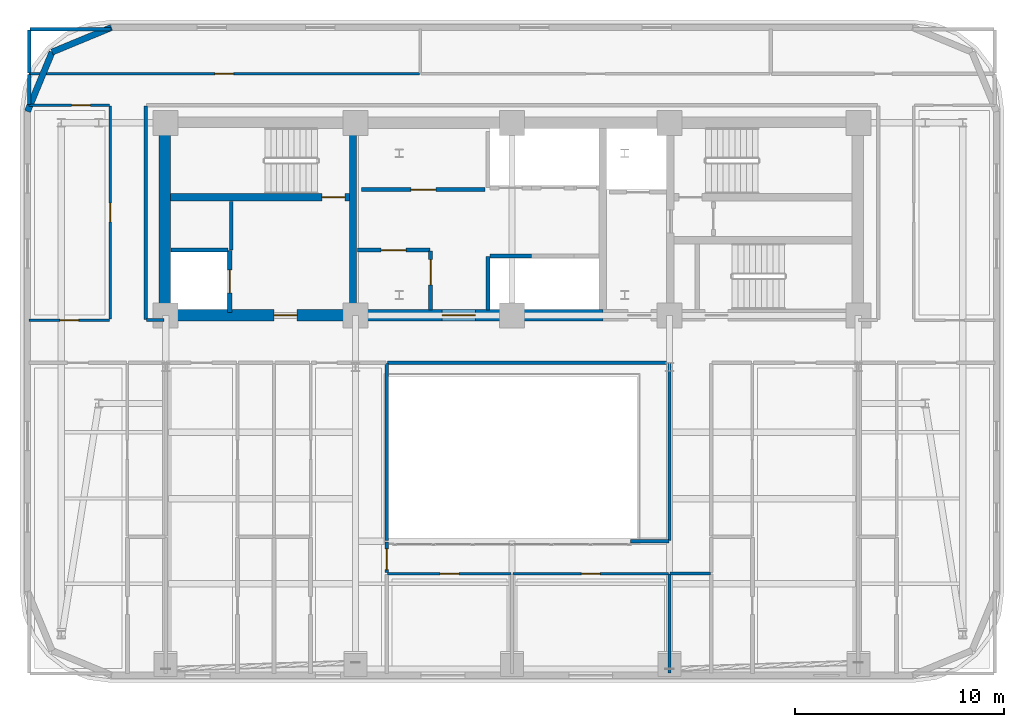
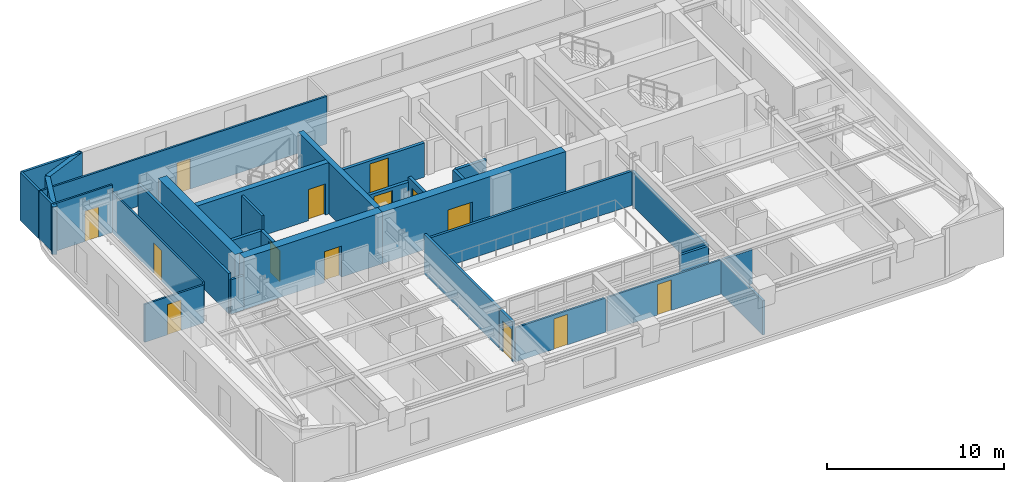
# One storey, part 6 of 12: 33 walls, 14 doors, 14 openings.
"""IFC4 building model written with IfcOpenShell, lengths in metres."""

from ifc_helpers import new_model, si_unit, direction, frame, frame_2d, origin, place, context, subcontext, project, spatial, rectangle, extrude, material, layer, layer_set, type_object, element, fill, save


model = new_model("IFC4")

# Units and contexts
model_context = context("Model", 3, precision=1e-05, world=origin(), true_north=direction((0.0, 1.0)))
body_context = subcontext(model_context, "Body", "Model", "MODEL_VIEW")
ifc_project = project(units=[si_unit("LENGTHUNIT", "METRE"), si_unit("AREAUNIT", "SQUARE_METRE"), si_unit("VOLUMEUNIT", "CUBIC_METRE"), si_unit("PLANEANGLEUNIT", "RADIAN"), si_unit("MASSUNIT", "GRAM", prefix="KILO")], contexts=[model_context])

# Site, building, storey
site_placement = place(None, origin())
site = spatial("IfcSite", under=ifc_project, at=site_placement, CompositionType="ELEMENT")
building_placement = place(site_placement, origin())
building = spatial("IfcBuilding", under=site, at=building_placement, Name="Zarnavel Station Tower", CompositionType="ELEMENT")
storey_placement = place(building_placement, frame((0.0, 0.0, 166.10009765625)))
storey = spatial("IfcBuildingStorey", under=building, at=storey_placement, Name="L45", CompositionType="ELEMENT", Elevation=166.10009765625)

# Wall
ifc_material_1 = material(Name="Concrete C50/60", Category="concrete")
ifc_layer_1 = layer(ifc_material_1, 0.35009765625)
ifc_layer_set_1 = layer_set([ifc_layer_1], Name="CW_350")
wall_type_1 = type_object("IfcWallType", Name="CW_350", PredefinedType="SHEAR", material=ifc_layer_set_1)
wall_1_placement = place(storey_placement, frame((21.179931640625, 28.094970703125, 0.0), z_axis=(0.0, 0.0, 1.0), x_axis=(0.0, 1.0, 0.0)))
element("IfcWall", 1, at=wall_1_placement, inside=storey, type_object=wall_type_1, Name="L45 Rear Core Shear Wall DIV-W", PredefinedType="SHEAR", context=body_context, shape_type="SweptSolid", body=[
    extrude(rectangle(XDim=8.679931640625, YDim=0.35009765625, at=frame_2d((4.33984375, 0.0))), origin(), (0.0, 0.0, 1.0), 3.5498046875),
])

# Wall, opening, door
wall_2_placement = place(storey_placement, frame((21.0048828125, 33.47998046875, 0.0), z_axis=(0.0, 0.0, 1.0), x_axis=(-1.0, 0.0, 0.0)))
wall_2 = element("IfcWall", 2, at=wall_2_placement, inside=storey, type_object=wall_type_1, Name="L45 Rear Core Shear Wall DIV-H1", PredefinedType="SHEAR", context=body_context, shape_type="SweptSolid", body=[
    extrude(rectangle(XDim=8.579833984375, YDim=0.35009765625, at=frame_2d((4.2900390625, 0.0))), origin(), (0.0, 0.0, 1.0), 3.5498046875),
])
opening_1_placement = place(wall_2_placement, frame((0.219970703125, 0.0, 0.0)))
opening_1 = element("IfcOpeningElement", 3, at=opening_1_placement, cuts=wall_2, Name="Opening FD01", PredefinedType="OPENING", context=body_context, shape_type="SweptSolid", body=[
    extrude(rectangle(XDim=1.10009765625, YDim=2.14990234375, at=frame_2d((0.550048828125, 1.074951171875))), frame((0.0, 0.18505859375, 0.0), z_axis=(0.0, -1.0, 0.0), x_axis=(1.0, 0.0, 0.0)), (0.0, 0.0, 1.0), 0.3701171875),
])
ifc_material_2 = material(Name="Painted Galvanised Steel and Hardwood Leaf", Category="steel")
door_type_1 = type_object("IfcDoorType", Name="ID_STAIR_1100", OperationType="NOTDEFINED", PredefinedType="DOOR", material=ifc_material_2)
door_1_placement = place(opening_1_placement, origin())
door_1 = element("IfcDoor", 4, at=door_1_placement, inside=storey, type_object=door_type_1, Name="L45 Stair ST1 Lobby Fire Door", OperationType="SINGLE_SWING_LEFT", OverallHeight=2.14990234375, OverallWidth=1.10009765625, PredefinedType="DOOR", context=body_context, shape_type="SweptSolid", body=[
    extrude(rectangle(XDim=1.10009765625, YDim=2.14990234375, at=frame_2d((0.550048828125, 1.074951171875))), frame((0.0, 0.02490234375, 0.0), z_axis=(0.0, -1.0, 0.0), x_axis=(1.0, 0.0, 0.0)), (0.0, 0.0, 1.0), 0.050048828125),
])
fill(opening_1, door_1)

ifc_material_3 = material(Name="Concrete C50/60", Category="concrete")
ifc_layer_2 = layer(ifc_material_3, 0.550048828125)
ifc_layer_set_2 = layer_set([ifc_layer_2], Name="CW_550")
wall_type_2 = type_object("IfcWallType", Name="CW_550", PredefinedType="SHEAR", material=ifc_layer_set_2)
wall_3_placement = place(storey_placement, frame((21.179931640625, 27.820068359375, 0.0), z_axis=(0.0, 0.0, 1.0), x_axis=(-1.0, 0.0, 0.0)))
wall_3 = element("IfcWall", 5, at=wall_3_placement, inside=storey, type_object=wall_type_2, Name="L45 Rear Core Shear Wall S-W", PredefinedType="SHEAR", context=body_context, shape_type="SweptSolid", body=[
    extrude(rectangle(XDim=9.030029296875, YDim=0.550048828125, at=frame_2d((4.51513671875, 0.0))), origin(), (0.0, 0.0, 1.0), 3.5498046875),
])
opening_2_placement = place(wall_3_placement, frame((2.679931640625, 0.0, 0.0)))
opening_2 = element("IfcOpeningElement", 6, at=opening_2_placement, cuts=wall_3, Name="Opening FD01", PredefinedType="OPENING", context=body_context, shape_type="SweptSolid", body=[
    extrude(rectangle(XDim=1.10009765625, YDim=2.14990234375, at=frame_2d((0.550048828125, 1.074951171875))), frame((0.0, 0.284912109375, 0.0), z_axis=(0.0, -1.0, 0.0), x_axis=(1.0, 0.0, 0.0)), (0.0, 0.0, 1.0), 0.570068359375),
])
door_2_placement = place(opening_2_placement, origin())
door_2 = element("IfcDoor", 7, at=door_2_placement, inside=storey, type_object=door_type_1, Name="L45 West Firefighting Lobby Door", OperationType="SINGLE_SWING_RIGHT", OverallHeight=2.14990234375, OverallWidth=1.10009765625, PredefinedType="DOOR", context=body_context, shape_type="SweptSolid", body=[
    extrude(rectangle(XDim=1.10009765625, YDim=2.14990234375, at=frame_2d((0.550048828125, 1.074951171875))), frame((0.0, 0.02490234375, 0.0), z_axis=(0.0, -1.0, 0.0), x_axis=(1.0, 0.0, 0.0)), (0.0, 0.0, 1.0), 0.050048828125),
])
fill(opening_2, door_2)

wall_4_placement = place(storey_placement, frame((33.14990234375, 27.820068359375, 0.0), z_axis=(0.0, 0.0, 1.0), x_axis=(-1.0, 0.0, 0.0)))
wall_4 = element("IfcWall", 8, at=wall_4_placement, inside=storey, type_object=wall_type_2, Name="L45 Rear Core Shear Wall S-M", PredefinedType="SHEAR", context=body_context, shape_type="SweptSolid", body=[
    extrude(rectangle(XDim=11.969970703125, YDim=0.550048828125, at=frame_2d((5.98486328125, 0.0))), origin(), (0.0, 0.0, 1.0), 3.5498046875),
])
opening_3_placement = place(wall_4_placement, frame((6.10009765625, 0.0, 0.0)))
opening_3 = element("IfcOpeningElement", 9, at=opening_3_placement, cuts=wall_4, Name="Opening ID03", PredefinedType="OPENING", context=body_context, shape_type="SweptSolid", body=[
    extrude(rectangle(XDim=1.60009765625, YDim=2.199951171875, at=frame_2d((0.800048828125, 1.10009765625))), frame((0.0, 0.284912109375, 0.0), z_axis=(0.0, -1.0, 0.0), x_axis=(1.0, 0.0, 0.0)), (0.0, 0.0, 1.0), 0.570068359375),
])
ifc_material_4 = material(Name="Painted Galvanised Steel and Hardwood Leaf", Category="steel")
door_type_2 = type_object("IfcDoorType", Name="ID_PUBLIC_1600", OperationType="DOUBLE_DOOR_SINGLE_SWING", PredefinedType="DOOR", material=ifc_material_4)
door_3_placement = place(opening_3_placement, origin())
door_3 = element("IfcDoor", 10, at=door_3_placement, inside=storey, type_object=door_type_2, Name="L45 Passenger Lift Lobby Double Door", OperationType="SINGLE_SWING_LEFT", OverallHeight=2.199951171875, OverallWidth=1.60009765625, PredefinedType="DOOR", context=body_context, shape_type="SweptSolid", body=[
    extrude(rectangle(XDim=1.60009765625, YDim=2.199951171875, at=frame_2d((0.800048828125, 1.10009765625))), frame((0.0, 0.02490234375, 0.0), z_axis=(0.0, -1.0, 0.0), x_axis=(1.0, 0.0, 0.0)), (0.0, 0.0, 1.0), 0.050048828125),
])
fill(opening_3, door_3)

# Walls
wall_5_placement = place(storey_placement, frame((12.14990234375, 28.094970703125, 0.0), z_axis=(0.0, 0.0, 1.0), x_axis=(0.0, 1.0, 0.0)))
element("IfcWall", 11, at=wall_5_placement, inside=storey, type_object=wall_type_2, Name="L45 Rear Core Shear Wall W", PredefinedType="SHEAR", context=body_context, shape_type="SweptSolid", body=[
    extrude(rectangle(XDim=8.679931640625, YDim=0.550048828125, at=frame_2d((4.33984375, 0.0))), origin(), (0.0, 0.0, 1.0), 3.5498046875),
])
ifc_material_5 = material(Name="Precast concrete C45/55 (Dark Basalt Finish)", Category="masonry")
ifc_layer_3 = layer(ifc_material_5, 0.300048828125)
ifc_layer_set_3 = layer_set([ifc_layer_3], Name="EW_BASALT_300")
wall_type_3 = type_object("IfcWallType", Name="EW_BASALT_300", PredefinedType="SOLIDWALL", material=ifc_layer_set_3)
wall_6_placement = place(storey_placement, frame((6.75732421875, 40.442626953125, 0.0), z_axis=(0.0, 0.0, 1.0), x_axis=(0.923882414032, 0.382676475685, 0.0)))
element("IfcWall", 12, at=wall_6_placement, inside=storey, type_object=wall_type_3, Name="L45 Exterior Basalt Masonry Frame Wall 07", PredefinedType="SOLIDWALL", context=body_context, shape_type="SweptSolid", body=[
    extrude(rectangle(XDim=3.076904296875, YDim=0.300048828125, at=frame_2d((1.53857421875, 0.0))), origin(), (0.0, 0.0, 1.0), 3.289794921875),
])
wall_7_placement = place(storey_placement, frame((5.580078125, 37.60009765625, 0.0), z_axis=(0.0, 0.0, 1.0), x_axis=(0.382636798336, 0.92389884758, 0.0)))
element("IfcWall", 13, at=wall_7_placement, inside=storey, type_object=wall_type_3, Name="L45 Exterior Basalt Masonry Frame Wall 08", PredefinedType="SOLIDWALL", context=body_context, shape_type="SweptSolid", body=[
    extrude(rectangle(XDim=3.07666015625, YDim=0.300048828125, at=frame_2d((1.538330078125, 0.0))), origin(), (0.0, 0.0, 1.0), 3.289794921875),
])

# Wall, opening, door
ifc_material_6 = material(Name="Gypsum Twin-Stud Acoustic Fire Partition", Category="concrete")
ifc_layer_4 = layer(ifc_material_6, 0.159912109375)
ifc_layer_set_4 = layer_set([ifc_layer_4], Name="PT_DEMISE_160")
wall_type_4 = type_object("IfcWallType", Name="PT_DEMISE_160", PredefinedType="PARTITIONING", material=ifc_layer_set_4)
wall_8_placement = place(storey_placement, frame((22.800048828125, 15.489990234375, 0.0), z_axis=(0.0, 0.0, 1.0), x_axis=(0.0, 1.0, 0.0)))
wall_8 = element("IfcWall", 14, at=wall_8_placement, inside=storey, type_object=wall_type_4, Name="L45 Partition COR-AS-HW3R", PredefinedType="PARTITIONING", context=body_context, shape_type="SweptSolid", body=[
    extrude(rectangle(XDim=1.469970703125, YDim=0.159912109375, at=frame_2d((0.73486328125, 0.0))), origin(), (0.0, 0.0, 1.0), 2.72998046875),
])
opening_4_placement = place(wall_8_placement, frame((0.14794921875, 0.0, 0.0)))
opening_4 = element("IfcOpeningElement", 15, at=opening_4_placement, cuts=wall_8, Name="Opening FD02", PredefinedType="OPENING", context=body_context, shape_type="SweptSolid", body=[
    extrude(rectangle(XDim=1.0, YDim=2.14990234375, at=frame_2d((0.5, 1.074951171875))), frame((0.0, 0.08984375, 0.0), z_axis=(0.0, -1.0, 0.0), x_axis=(1.0, 0.0, 0.0)), (0.0, 0.0, 1.0), 0.179931640625),
])
ifc_material_7 = material(Name="Painted Galvanised Steel and Hardwood Leaf", Category="steel")
door_type_3 = type_object("IfcDoorType", Name="ID_ENTRY_1000", OperationType="NOTDEFINED", PredefinedType="DOOR", material=ifc_material_7)
door_4_placement = place(opening_4_placement, origin())
door_4 = element("IfcDoor", 16, at=door_4_placement, inside=storey, type_object=door_type_3, Name="L45 Door COR-AS-HW3R", OperationType="SINGLE_SWING_LEFT", OverallHeight=2.14990234375, OverallWidth=1.0, PredefinedType="DOOR", context=body_context, shape_type="SweptSolid", body=[
    extrude(rectangle(XDim=1.0, YDim=2.14990234375, at=frame_2d((0.5, 1.074951171875))), frame((0.0, 0.02490234375, 0.0), z_axis=(0.0, -1.0, 0.0), x_axis=(1.0, 0.0, 0.0)), (0.0, 0.0, 1.0), 0.050048828125),
])
fill(opening_4, door_4)

# Walls
wall_9_placement = place(storey_placement, frame((15.35009765625, 30.9599609375, 0.0), z_axis=(0.0, 0.0, 1.0), x_axis=(0.0, 1.0, 0.0)))
element("IfcWall", 17, at=wall_9_placement, inside=storey, type_object=wall_type_4, Name="L45 Enclosure Wall FFL1", PredefinedType="PARTITIONING", context=body_context, shape_type="SweptSolid", body=[
    extrude(rectangle(XDim=2.31005859375, YDim=0.159912109375, at=frame_2d((1.155029296875, 0.0))), origin(), (0.0, 0.0, 1.0), 3.289794921875),
])
wall_10_placement = place(storey_placement, frame((22.830078125, 25.550048828125, 0.0), z_axis=(0.0, 0.0, 1.0), x_axis=(1.0, 0.0, 0.0)))
element("IfcWall", 18, at=wall_10_placement, inside=storey, type_object=wall_type_4, Name="L45 Enclosure Wall COR-S", PredefinedType="PARTITIONING", context=body_context, shape_type="SweptSolid", body=[
    extrude(rectangle(XDim=13.489990234375, YDim=0.159912109375, at=frame_2d((6.7451171875, 0.0))), origin(), (0.0, 0.0, 1.0), 2.35986328125),
])
wall_11_placement = place(storey_placement, frame((11.280029296875, 27.60009765625, 0.0), z_axis=(0.0, 0.0, 1.0), x_axis=(1.0, 0.0, 0.0)))
element("IfcWall", 19, at=wall_11_placement, inside=storey, type_object=wall_type_4, Name="L45 Enclosure Wall COR-S", PredefinedType="PARTITIONING", context=body_context, shape_type="SweptSolid", body=[
    extrude(rectangle(XDim=0.840087890625, YDim=0.159912109375, at=frame_2d((0.419921875, 0.0))), origin(), (0.0, 0.0, 1.0), 2.35986328125),
])
wall_12_placement = place(storey_placement, frame((11.25, 27.6298828125, 0.0), z_axis=(0.0, 0.0, 1.0), x_axis=(0.0, 1.0, 0.0)))
element("IfcWall", 20, at=wall_12_placement, inside=storey, type_object=wall_type_4, Name="L45 Enclosure Wall COR-W", PredefinedType="PARTITIONING", context=body_context, shape_type="SweptSolid", body=[
    extrude(rectangle(XDim=10.240234375, YDim=0.159912109375, at=frame_2d((5.1201171875, 0.0))), origin(), (0.0, 0.0, 1.0), 2.77001953125),
])
wall_13_placement = place(storey_placement, frame((5.659912109375, 37.929931640625, 0.0), z_axis=(0.0, 0.0, 1.0), x_axis=(0.0, 1.0, 0.0)))
element("IfcWall", 21, at=wall_13_placement, inside=storey, type_object=wall_type_4, Name="L45 Enclosure Wall COR-N", PredefinedType="PARTITIONING", context=body_context, shape_type="SweptSolid", body=[
    extrude(rectangle(XDim=1.440185546875, YDim=0.159912109375, at=frame_2d((0.72021484375, 0.0))), origin(), (0.0, 0.0, 1.0), 3.289794921875),
])
wall_14_placement = place(storey_placement, frame((36.3798828125, 15.449951171875, 0.0), z_axis=(0.0, 0.0, 1.0), x_axis=(1.0, 0.0, 0.0)))
element("IfcWall", 22, at=wall_14_placement, inside=storey, type_object=wall_type_4, Name="L45 Enclosure Wall COR-AE", PredefinedType="PARTITIONING", context=body_context, shape_type="SweptSolid", body=[
    extrude(rectangle(XDim=1.940185546875, YDim=0.159912109375, at=frame_2d((0.97021484375, 0.0))), origin(), (0.0, 0.0, 1.0), 2.35986328125),
])
wall_15_placement = place(storey_placement, frame((36.35009765625, 17.030029296875, 0.0), z_axis=(0.0, 0.0, 1.0), x_axis=(0.0, 1.0, 0.0)))
element("IfcWall", 23, at=wall_15_placement, inside=storey, type_object=wall_type_4, Name="L45 Enclosure Wall COR-AE", PredefinedType="PARTITIONING", context=body_context, shape_type="SweptSolid", body=[
    extrude(rectangle(XDim=8.489990234375, YDim=0.159912109375, at=frame_2d((4.2451171875, 0.0))), origin(), (0.0, 0.0, 1.0), 2.35986328125),
])
wall_16_placement = place(storey_placement, frame((34.47998046875, 17.0, 0.0), z_axis=(0.0, 0.0, 1.0), x_axis=(1.0, 0.0, 0.0)))
element("IfcWall", 24, at=wall_16_placement, inside=storey, type_object=wall_type_4, Name="L45 Enclosure Wall COR-AS", PredefinedType="PARTITIONING", context=body_context, shape_type="SweptSolid", body=[
    extrude(rectangle(XDim=1.840087890625, YDim=0.159912109375, at=frame_2d((0.919921875, 0.0))), origin(), (0.0, 0.0, 1.0), 2.35986328125),
])
wall_17_placement = place(storey_placement, frame((5.68994140625, 41.5400390625, 0.0), z_axis=(0.0, 0.0, 1.0), x_axis=(1.0, 0.0, 0.0)))
element("IfcWall", 25, at=wall_17_placement, inside=storey, type_object=wall_type_4, Name="L45 Enclosure Wall NLIB", PredefinedType="PARTITIONING", context=body_context, shape_type="SweptSolid", body=[
    extrude(rectangle(XDim=3.880126953125, YDim=0.159912109375, at=frame_2d((1.93994140625, 0.0))), origin(), (0.0, 0.0, 1.0), 3.289794921875),
])
wall_18_placement = place(storey_placement, frame((5.659912109375, 39.429931640625, 0.0), z_axis=(0.0, 0.0, 1.0), x_axis=(0.0, 1.0, 0.0)))
element("IfcWall", 26, at=wall_18_placement, inside=storey, type_object=wall_type_4, Name="L45 Enclosure Wall NLIB", PredefinedType="PARTITIONING", context=body_context, shape_type="SweptSolid", body=[
    extrude(rectangle(XDim=2.080078125, YDim=0.159912109375, at=frame_2d((1.0400390625, 0.0))), origin(), (0.0, 0.0, 1.0), 3.289794921875),
])
wall_19_placement = place(storey_placement, frame((22.800048828125, 17.030029296875, 0.0), z_axis=(0.0, 0.0, 1.0), x_axis=(0.0, 1.0, 0.0)))
element("IfcWall", 27, at=wall_19_placement, inside=storey, type_object=wall_type_4, Name="L45 Enclosure Wall HW3R", PredefinedType="PARTITIONING", context=body_context, shape_type="SweptSolid", body=[
    extrude(rectangle(XDim=8.489990234375, YDim=0.159912109375, at=frame_2d((4.2451171875, 0.0))), origin(), (0.0, 0.0, 1.0), 2.72998046875),
])
wall_20_placement = place(storey_placement, frame((36.35009765625, 10.68994140625, 0.0), z_axis=(0.0, 0.0, 1.0), x_axis=(0.0, 1.0, 0.0)))
element("IfcWall", 28, at=wall_20_placement, inside=storey, type_object=wall_type_4, Name="L45 Enclosure Wall L45STD", PredefinedType="PARTITIONING", context=body_context, shape_type="SweptSolid", body=[
    extrude(rectangle(XDim=4.72998046875, YDim=0.159912109375, at=frame_2d((2.364990234375, 0.0))), origin(), (0.0, 0.0, 1.0), 2.35986328125),
])

# Wall, opening, door
ifc_material_8 = material(Name="Gypsum Metal-Stud Interior Partition", Category="concrete")
ifc_layer_5 = layer(ifc_material_8, 0.1201171875)
ifc_layer_set_5 = layer_set([ifc_layer_5], Name="PT_ROOM_120")
wall_type_5 = type_object("IfcWallType", Name="PT_ROOM_120", PredefinedType="PARTITIONING", material=ifc_layer_set_5)
wall_21_placement = place(storey_placement, frame((5.659912109375, 27.60009765625, 0.0), z_axis=(0.0, 0.0, 1.0), x_axis=(1.0, 0.0, 0.0)))
wall_21 = element("IfcWall", 29, at=wall_21_placement, inside=storey, type_object=wall_type_5, Name="L45 Partition COR-S-FNW", PredefinedType="PARTITIONING", context=body_context, shape_type="SweptSolid", body=[
    extrude(rectangle(XDim=3.85009765625, YDim=0.1201171875, at=frame_2d((1.925048828125, 0.0))), origin(), (0.0, 0.0, 1.0), 2.619873046875),
])
opening_5_placement = place(wall_21_placement, frame((1.47509765625, 0.0, 0.0)))
opening_5 = element("IfcOpeningElement", 30, at=opening_5_placement, cuts=wall_21, Name="Opening ID01", PredefinedType="OPENING", context=body_context, shape_type="SweptSolid", body=[
    extrude(rectangle(XDim=0.89990234375, YDim=2.10009765625, at=frame_2d((0.449951171875, 1.050048828125))), frame((0.0, 0.070068359375, 0.0), z_axis=(0.0, -1.0, 0.0), x_axis=(1.0, 0.0, 0.0)), (0.0, 0.0, 1.0), 0.14013671875),
])
ifc_material_9 = material(Name="Painted Galvanised Steel and Hardwood Leaf", Category="steel")
door_type_4 = type_object("IfcDoorType", Name="ID_ROOM_900", OperationType="NOTDEFINED", PredefinedType="DOOR", material=ifc_material_9)
door_5_placement = place(opening_5_placement, origin())
door_5 = element("IfcDoor", 31, at=door_5_placement, inside=storey, type_object=door_type_4, Name="L45 Door COR-S-FNW", OperationType="SINGLE_SWING_LEFT", OverallHeight=2.10009765625, OverallWidth=0.89990234375, PredefinedType="DOOR", context=body_context, shape_type="SweptSolid", body=[
    extrude(rectangle(XDim=0.89990234375, YDim=2.10009765625, at=frame_2d((0.449951171875, 1.050048828125))), frame((0.0, 0.02490234375, 0.0), z_axis=(0.0, -1.0, 0.0), x_axis=(1.0, 0.0, 0.0)), (0.0, 0.0, 1.0), 0.050048828125),
])
fill(opening_5, door_5)

wall_22_placement = place(storey_placement, frame((9.550048828125, 27.639892578125, 0.0), z_axis=(0.0, 0.0, 1.0), x_axis=(0.0, 1.0, 0.0)))
wall_22 = element("IfcWall", 32, at=wall_22_placement, inside=storey, type_object=wall_type_5, Name="L45 Partition COR-W-FNW", PredefinedType="PARTITIONING", context=body_context, shape_type="SweptSolid", body=[
    extrude(rectangle(XDim=10.22021484375, YDim=0.1201171875, at=frame_2d((5.110107421875, 0.0))), origin(), (0.0, 0.0, 1.0), 2.77001953125),
])
opening_6_placement = place(wall_22_placement, frame((4.659912109375, 0.0, 0.0)))
opening_6 = element("IfcOpeningElement", 33, at=opening_6_placement, cuts=wall_22, Name="Opening ID01", PredefinedType="OPENING", context=body_context, shape_type="SweptSolid", body=[
    extrude(rectangle(XDim=0.89990234375, YDim=2.10009765625, at=frame_2d((0.449951171875, 1.050048828125))), frame((0.0, 0.070068359375, 0.0), z_axis=(0.0, -1.0, 0.0), x_axis=(1.0, 0.0, 0.0)), (0.0, 0.0, 1.0), 0.14013671875),
])
door_6_placement = place(opening_6_placement, origin())
door_6 = element("IfcDoor", 34, at=door_6_placement, inside=storey, type_object=door_type_4, Name="L45 Door COR-W-FNW", OperationType="SINGLE_SWING_RIGHT", OverallHeight=2.10009765625, OverallWidth=0.89990234375, PredefinedType="DOOR", context=body_context, shape_type="SweptSolid", body=[
    extrude(rectangle(XDim=0.89990234375, YDim=2.10009765625, at=frame_2d((0.449951171875, 1.050048828125))), frame((0.0, 0.02490234375, 0.0), z_axis=(0.0, -1.0, 0.0), x_axis=(1.0, 0.0, 0.0)), (0.0, 0.0, 1.0), 0.050048828125),
])
fill(opening_6, door_6)

wall_23_placement = place(storey_placement, frame((5.659912109375, 37.89990234375, 0.0), z_axis=(0.0, 0.0, 1.0), x_axis=(1.0, 0.0, 0.0)))
wall_23 = element("IfcWall", 35, at=wall_23_placement, inside=storey, type_object=wall_type_5, Name="L45 Partition COR-N-FNW", PredefinedType="PARTITIONING", context=body_context, shape_type="SweptSolid", body=[
    extrude(rectangle(XDim=3.85009765625, YDim=0.1201171875, at=frame_2d((1.925048828125, 0.0))), origin(), (0.0, 0.0, 1.0), 3.289794921875),
])
opening_7_placement = place(wall_23_placement, frame((2.03125, 0.0, 0.0)))
opening_7 = element("IfcOpeningElement", 36, at=opening_7_placement, cuts=wall_23, Name="Opening ID01", PredefinedType="OPENING", context=body_context, shape_type="SweptSolid", body=[
    extrude(rectangle(XDim=0.89990234375, YDim=2.10009765625, at=frame_2d((0.449951171875, 1.050048828125))), frame((0.0, 0.070068359375, 0.0), z_axis=(0.0, -1.0, 0.0), x_axis=(1.0, 0.0, 0.0)), (0.0, 0.0, 1.0), 0.14013671875),
])
door_7_placement = place(opening_7_placement, origin())
door_7 = element("IfcDoor", 37, at=door_7_placement, inside=storey, type_object=door_type_4, Name="L45 Door COR-N-FNW", OperationType="SINGLE_SWING_RIGHT", OverallHeight=2.10009765625, OverallWidth=0.89990234375, PredefinedType="DOOR", context=body_context, shape_type="SweptSolid", body=[
    extrude(rectangle(XDim=0.89990234375, YDim=2.10009765625, at=frame_2d((0.449951171875, 1.050048828125))), frame((0.0, 0.02490234375, 0.0), z_axis=(0.0, -1.0, 0.0), x_axis=(1.0, 0.0, 0.0)), (0.0, 0.0, 1.0), 0.050048828125),
])
fill(opening_7, door_7)

wall_24_placement = place(storey_placement, frame((5.659912109375, 39.39990234375, 0.0), z_axis=(0.0, 0.0, 1.0), x_axis=(1.0, 0.0, 0.0)))
wall_24 = element("IfcWall", 38, at=wall_24_placement, inside=storey, type_object=wall_type_5, Name="L45 Partition COR-N-NLIB", PredefinedType="PARTITIONING", context=body_context, shape_type="SweptSolid", body=[
    extrude(rectangle(XDim=18.7001953125, YDim=0.1201171875, at=frame_2d((9.35009765625, 0.0))), origin(), (0.0, 0.0, 1.0), 3.289794921875),
])
opening_8_placement = place(wall_24_placement, frame((8.89990234375, 0.0, 0.0)))
opening_8 = element("IfcOpeningElement", 39, at=opening_8_placement, cuts=wall_24, Name="Opening ID01", PredefinedType="OPENING", context=body_context, shape_type="SweptSolid", body=[
    extrude(rectangle(XDim=0.89990234375, YDim=2.10009765625, at=frame_2d((0.449951171875, 1.050048828125))), frame((0.0, 0.070068359375, 0.0), z_axis=(0.0, -1.0, 0.0), x_axis=(1.0, 0.0, 0.0)), (0.0, 0.0, 1.0), 0.14013671875),
])
door_8_placement = place(opening_8_placement, origin())
door_8 = element("IfcDoor", 40, at=door_8_placement, inside=storey, type_object=door_type_4, Name="L45 Door COR-N-NLIB", OperationType="SINGLE_SWING_RIGHT", OverallHeight=2.10009765625, OverallWidth=0.89990234375, PredefinedType="DOOR", context=body_context, shape_type="SweptSolid", body=[
    extrude(rectangle(XDim=0.89990234375, YDim=2.10009765625, at=frame_2d((0.449951171875, 1.050048828125))), frame((0.0, 0.02490234375, 0.0), z_axis=(0.0, -1.0, 0.0), x_axis=(1.0, 0.0, 0.0)), (0.0, 0.0, 1.0), 0.050048828125),
])
fill(opening_8, door_8)

wall_25_placement = place(storey_placement, frame((22.840087890625, 15.449951171875, 0.0), z_axis=(0.0, 0.0, 1.0), x_axis=(1.0, 0.0, 0.0)))
wall_25 = element("IfcWall", 41, at=wall_25_placement, inside=storey, type_object=wall_type_5, Name="L45 Partition COR-AS-L45BAR", PredefinedType="PARTITIONING", context=body_context, shape_type="SweptSolid", body=[
    extrude(rectangle(XDim=5.919921875, YDim=0.1201171875, at=frame_2d((2.9599609375, 0.0))), origin(), (0.0, 0.0, 1.0), 2.35986328125),
])
opening_9_placement = place(wall_25_placement, frame((2.510009765625, 0.0, 0.0)))
opening_9 = element("IfcOpeningElement", 42, at=opening_9_placement, cuts=wall_25, Name="Opening ID01", PredefinedType="OPENING", context=body_context, shape_type="SweptSolid", body=[
    extrude(rectangle(XDim=0.89990234375, YDim=2.10009765625, at=frame_2d((0.449951171875, 1.050048828125))), frame((0.0, 0.070068359375, 0.0), z_axis=(0.0, -1.0, 0.0), x_axis=(1.0, 0.0, 0.0)), (0.0, 0.0, 1.0), 0.14013671875),
])
door_9_placement = place(opening_9_placement, origin())
door_9 = element("IfcDoor", 43, at=door_9_placement, inside=storey, type_object=door_type_4, Name="L45 Door COR-AS-L45BAR", OperationType="SINGLE_SWING_RIGHT", OverallHeight=2.10009765625, OverallWidth=0.89990234375, PredefinedType="DOOR", context=body_context, shape_type="SweptSolid", body=[
    extrude(rectangle(XDim=0.89990234375, YDim=2.10009765625, at=frame_2d((0.449951171875, 1.050048828125))), frame((0.0, 0.02490234375, 0.0), z_axis=(0.0, -1.0, 0.0), x_axis=(1.0, 0.0, 0.0)), (0.0, 0.0, 1.0), 0.050048828125),
])
fill(opening_9, door_9)

wall_26_placement = place(storey_placement, frame((28.840087890625, 15.449951171875, 0.0), z_axis=(0.0, 0.0, 1.0), x_axis=(1.0, 0.0, 0.0)))
wall_26 = element("IfcWall", 44, at=wall_26_placement, inside=storey, type_object=wall_type_5, Name="L45 Partition COR-AS-L45STD", PredefinedType="PARTITIONING", context=body_context, shape_type="SweptSolid", body=[
    extrude(rectangle(XDim=7.469970703125, YDim=0.1201171875, at=frame_2d((3.73486328125, 0.0))), origin(), (0.0, 0.0, 1.0), 2.35986328125),
])
opening_10_placement = place(wall_26_placement, frame((3.284912109375, 0.0, 0.0)))
opening_10 = element("IfcOpeningElement", 45, at=opening_10_placement, cuts=wall_26, Name="Opening ID01", PredefinedType="OPENING", context=body_context, shape_type="SweptSolid", body=[
    extrude(rectangle(XDim=0.89990234375, YDim=2.10009765625, at=frame_2d((0.449951171875, 1.050048828125))), frame((0.0, 0.070068359375, 0.0), z_axis=(0.0, -1.0, 0.0), x_axis=(1.0, 0.0, 0.0)), (0.0, 0.0, 1.0), 0.14013671875),
])
door_10_placement = place(opening_10_placement, origin())
door_10 = element("IfcDoor", 46, at=door_10_placement, inside=storey, type_object=door_type_4, Name="L45 Door COR-AS-L45STD", OperationType="SINGLE_SWING_LEFT", OverallHeight=2.10009765625, OverallWidth=0.89990234375, PredefinedType="DOOR", context=body_context, shape_type="SweptSolid", body=[
    extrude(rectangle(XDim=0.89990234375, YDim=2.10009765625, at=frame_2d((0.449951171875, 1.050048828125))), frame((0.0, 0.02490234375, 0.0), z_axis=(0.0, -1.0, 0.0), x_axis=(1.0, 0.0, 0.0)), (0.0, 0.0, 1.0), 0.050048828125),
])
fill(opening_10, door_10)

ifc_material_10 = material(Name="Precast concrete C45/55 (Fire Shaft Blockwork)", Category="masonry")
ifc_layer_6 = layer(ifc_material_10, 0.199951171875)
ifc_layer_set_6 = layer_set([ifc_layer_6], Name="PT_SHAFT_200")
wall_type_6 = type_object("IfcWallType", Name="PT_SHAFT_200", PredefinedType="PARTITIONING", material=ifc_layer_set_6)
wall_27_placement = place(storey_placement, frame((15.27001953125, 27.969970703125, 0.0), z_axis=(0.0, 0.0, 1.0), x_axis=(0.0, 1.0, 0.0)))
wall_27 = element("IfcWall", 47, at=wall_27_placement, inside=storey, type_object=wall_type_6, Name="L45 Lift FFL-01 Shaft Front Wall", PredefinedType="PARTITIONING", context=body_context, shape_type="SweptSolid", body=[
    extrude(rectangle(XDim=2.9599609375, YDim=0.199951171875, at=frame_2d((1.47998046875, 0.0))), origin(), (0.0, 0.0, 1.0), 2.35986328125),
])
opening_11_placement = place(wall_27_placement, frame((0.929931640625, 0.0, 0.0)))
opening_11 = element("IfcOpeningElement", 48, at=opening_11_placement, cuts=wall_27, Name="Opening LD01", PredefinedType="OPENING", context=body_context, shape_type="SweptSolid", body=[
    extrude(rectangle(XDim=1.10009765625, YDim=2.14990234375, at=frame_2d((0.550048828125, 1.074951171875))), frame((0.0, 0.10986328125, 0.0), z_axis=(0.0, -1.0, 0.0), x_axis=(1.0, 0.0, 0.0)), (0.0, 0.0, 1.0), 0.219970703125),
])
ifc_material_11 = material(Name="Painted Galvanised Steel and Hardwood Leaf", Category="steel")
door_type_5 = type_object("IfcDoorType", Name="LD_FF_1100", OperationType="DOUBLE_DOOR_SLIDING", PredefinedType="DOOR", material=ifc_material_11)
door_11_placement = place(opening_11_placement, origin())
door_11 = element("IfcDoor", 49, at=door_11_placement, inside=storey, type_object=door_type_5, Name="L45 Lift FFL-01 Sliding Landing Door", OperationType="DOUBLE_DOOR_SLIDING", OverallHeight=2.14990234375, OverallWidth=1.10009765625, PredefinedType="DOOR", context=body_context, shape_type="SweptSolid", body=[
    extrude(rectangle(XDim=1.10009765625, YDim=2.14990234375, at=frame_2d((0.550048828125, 1.074951171875))), frame((0.0, 0.02490234375, 0.0), z_axis=(0.0, -1.0, 0.0), x_axis=(1.0, 0.0, 0.0)), (0.0, 0.0, 1.0), 0.050048828125),
])
fill(opening_11, door_11)

# Walls
wall_28_placement = place(storey_placement, frame((12.449951171875, 30.949951171875, 0.0), z_axis=(0.0, 0.0, 1.0), x_axis=(1.0, 0.0, 0.0)))
element("IfcWall", 50, at=wall_28_placement, inside=storey, type_object=wall_type_6, Name="L45 Lift FFL-01 North Shaft Wall", PredefinedType="PARTITIONING", context=body_context, shape_type="SweptSolid", body=[
    extrude(rectangle(XDim=2.75, YDim=0.199951171875, at=frame_2d((1.375, 0.0))), origin(), (0.0, 0.0, 1.0), 2.35986328125),
])
wall_29_placement = place(storey_placement, frame((27.75, 30.669921875, 0.0), z_axis=(0.0, 0.0, 1.0), x_axis=(1.0, 0.0, 0.0)))
element("IfcWall", 51, at=wall_29_placement, inside=storey, type_object=wall_type_6, Name="L45 Lift PL-H1 Shaft Front Wall", PredefinedType="PARTITIONING", context=body_context, shape_type="SweptSolid", body=[
    extrude(rectangle(XDim=1.97509765625, YDim=0.199951171875, at=frame_2d((0.987548828125, 0.0))), origin(), (0.0, 0.0, 1.0), 2.35986328125),
])
wall_30_placement = place(storey_placement, frame((27.64990234375, 28.070068359375, 0.0), z_axis=(0.0, 0.0, 1.0), x_axis=(0.0, 1.0, 0.0)))
element("IfcWall", 52, at=wall_30_placement, inside=storey, type_object=wall_type_6, Name="L45 High-Rise Lift Bank West Shaft Wall", PredefinedType="PARTITIONING", context=body_context, shape_type="SweptSolid", body=[
    extrude(rectangle(XDim=2.579833984375, YDim=0.199951171875, at=frame_2d((1.2900390625, 0.0))), origin(), (0.0, 0.0, 1.0), 2.35986328125),
])

# Wall, opening, door
wall_31_placement = place(storey_placement, frame((21.39990234375, 30.949951171875, 0.0), z_axis=(0.0, 0.0, 1.0), x_axis=(1.0, 0.0, 0.0)))
wall_31 = element("IfcWall", 53, at=wall_31_placement, inside=storey, type_object=wall_type_6, Name="L45 Partition LLOB-CS1", PredefinedType="PARTITIONING", context=body_context, shape_type="SweptSolid", body=[
    extrude(rectangle(XDim=3.460205078125, YDim=0.199951171875, at=frame_2d((1.72998046875, 0.0))), origin(), (0.0, 0.0, 1.0), 2.35986328125),
])
opening_12_placement = place(wall_31_placement, frame((1.1298828125, 0.0, 0.0)))
opening_12 = element("IfcOpeningElement", 54, at=opening_12_placement, cuts=wall_31, Name="Opening FD03", PredefinedType="OPENING", context=body_context, shape_type="SweptSolid", body=[
    extrude(rectangle(XDim=1.199951171875, YDim=2.14990234375, at=frame_2d((0.60009765625, 1.074951171875))), frame((0.0, 0.10986328125, 0.0), z_axis=(0.0, -1.0, 0.0), x_axis=(1.0, 0.0, 0.0)), (0.0, 0.0, 1.0), 0.219970703125),
])
ifc_material_12 = material(Name="Painted Galvanised Steel and Hardwood Leaf", Category="steel")
door_type_6 = type_object("IfcDoorType", Name="ID_PLANT_1200", OperationType="NOTDEFINED", PredefinedType="DOOR", material=ifc_material_12)
door_12_placement = place(opening_12_placement, origin())
door_12 = element("IfcDoor", 55, at=door_12_placement, inside=storey, type_object=door_type_6, Name="L45 Door LLOB-CS1", OperationType="SINGLE_SWING_RIGHT", OverallHeight=2.14990234375, OverallWidth=1.199951171875, PredefinedType="DOOR", context=body_context, shape_type="SweptSolid", body=[
    extrude(rectangle(XDim=1.199951171875, YDim=2.14990234375, at=frame_2d((0.60009765625, 1.074951171875))), frame((0.0, 0.02490234375, 0.0), z_axis=(0.0, -1.0, 0.0), x_axis=(1.0, 0.0, 0.0)), (0.0, 0.0, 1.0), 0.050048828125),
])
fill(opening_12, door_12)

wall_32_placement = place(storey_placement, frame((21.590087890625, 33.85009765625, 0.0), z_axis=(0.0, 0.0, 1.0), x_axis=(1.0, 0.0, 0.0)))
wall_32 = element("IfcWall", 56, at=wall_32_placement, inside=storey, type_object=wall_type_6, Name="L45 Partition LLOB-FB1A", PredefinedType="PARTITIONING", context=body_context, shape_type="SweptSolid", body=[
    extrude(rectangle(XDim=5.919921875, YDim=0.199951171875, at=frame_2d((2.9599609375, 0.0))), origin(), (0.0, 0.0, 1.0), 2.35986328125),
])
opening_13_placement = place(wall_32_placement, frame((2.360107421875, 0.0, 0.0)))
opening_13 = element("IfcOpeningElement", 57, at=opening_13_placement, cuts=wall_32, Name="Opening FD03", PredefinedType="OPENING", context=body_context, shape_type="SweptSolid", body=[
    extrude(rectangle(XDim=1.199951171875, YDim=2.14990234375, at=frame_2d((0.60009765625, 1.074951171875))), frame((0.0, 0.10986328125, 0.0), z_axis=(0.0, -1.0, 0.0), x_axis=(1.0, 0.0, 0.0)), (0.0, 0.0, 1.0), 0.219970703125),
])
door_13_placement = place(opening_13_placement, origin())
door_13 = element("IfcDoor", 58, at=door_13_placement, inside=storey, type_object=door_type_6, Name="L45 Door LLOB-FB1A", OperationType="SINGLE_SWING_LEFT", OverallHeight=2.14990234375, OverallWidth=1.199951171875, PredefinedType="DOOR", context=body_context, shape_type="SweptSolid", body=[
    extrude(rectangle(XDim=1.199951171875, YDim=2.14990234375, at=frame_2d((0.60009765625, 1.074951171875))), frame((0.0, 0.02490234375, 0.0), z_axis=(0.0, -1.0, 0.0), x_axis=(1.0, 0.0, 0.0)), (0.0, 0.0, 1.0), 0.050048828125),
])
fill(opening_13, door_13)

wall_33_placement = place(storey_placement, frame((24.89990234375, 28.090087890625, 0.0), z_axis=(0.0, 0.0, 1.0), x_axis=(0.0, 1.0, 0.0)))
wall_33 = element("IfcWall", 59, at=wall_33_placement, inside=storey, type_object=wall_type_6, Name="L45 Partition LLOBS-CS1", PredefinedType="PARTITIONING", context=body_context, shape_type="SweptSolid", body=[
    extrude(rectangle(XDim=2.81982421875, YDim=0.199951171875, at=frame_2d((1.409912109375, 0.0))), origin(), (0.0, 0.0, 1.0), 2.669921875),
])
opening_14_placement = place(wall_33_placement, frame((1.20068359375, 0.0, 0.0)))
opening_14 = element("IfcOpeningElement", 60, at=opening_14_placement, cuts=wall_33, Name="Opening FD03", PredefinedType="OPENING", context=body_context, shape_type="SweptSolid", body=[
    extrude(rectangle(XDim=1.199951171875, YDim=2.14990234375, at=frame_2d((0.60009765625, 1.074951171875))), frame((0.0, 0.10986328125, 0.0), z_axis=(0.0, -1.0, 0.0), x_axis=(1.0, 0.0, 0.0)), (0.0, 0.0, 1.0), 0.219970703125),
])
door_14_placement = place(opening_14_placement, origin())
door_14 = element("IfcDoor", 61, at=door_14_placement, inside=storey, type_object=door_type_6, Name="L45 Door LLOBS-CS1", OperationType="SINGLE_SWING_RIGHT", OverallHeight=2.14990234375, OverallWidth=1.199951171875, PredefinedType="DOOR", context=body_context, shape_type="SweptSolid", body=[
    extrude(rectangle(XDim=1.199951171875, YDim=2.14990234375, at=frame_2d((0.60009765625, 1.074951171875))), frame((0.0, 0.02490234375, 0.0), z_axis=(0.0, -1.0, 0.0), x_axis=(1.0, 0.0, 0.0)), (0.0, 0.0, 1.0), 0.050048828125),
])
fill(opening_14, door_14)

save(model, "model.ifc")
